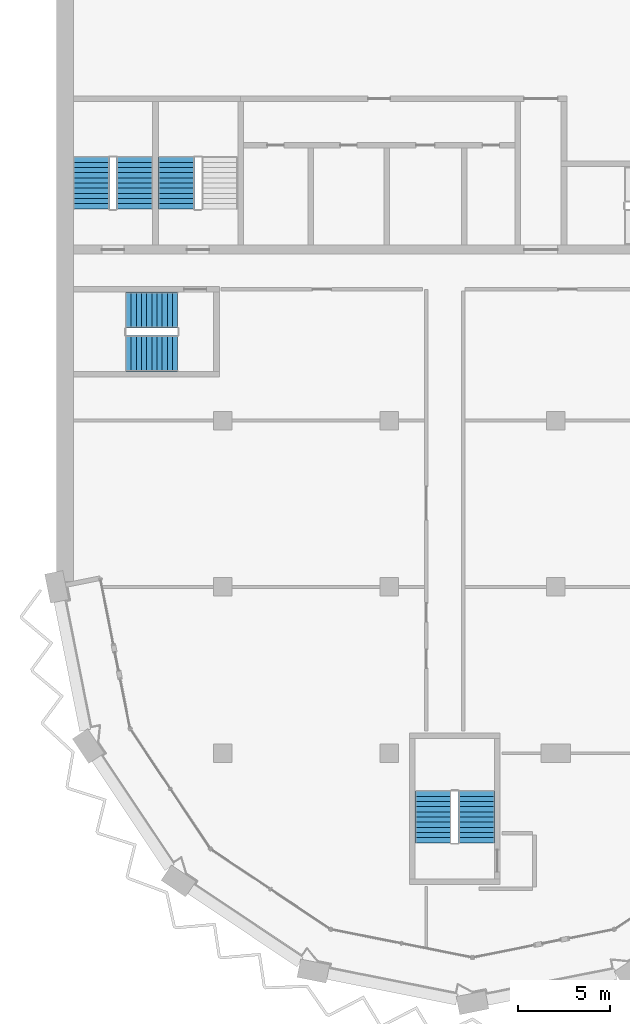
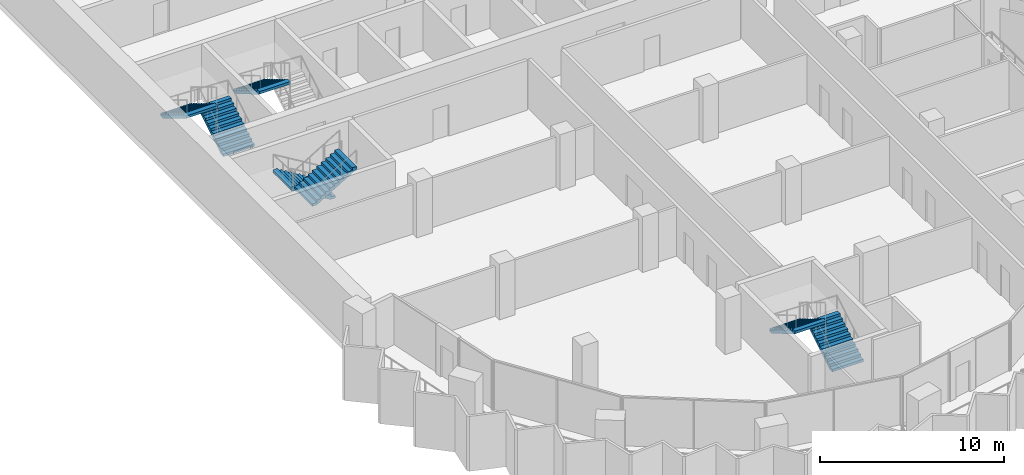
# One storey, part 11 of 16: 7 stair flights, 4 elements without a shape of their own.
"""IFC4 building model written with IfcOpenShell, lengths in metres."""

from ifc_helpers import new_model, si_unit, direction, frame, origin, place, context, subcontext, project, spatial, polyline, outline, extrude, material, type_object, element, aggregate, save


model = new_model("IFC4")

# Units and contexts
model_context = context("Model", 3, precision=1e-05, world=origin(), true_north=direction((0.0, 1.0)))
body_context = subcontext(model_context, "Body", "Model", "MODEL_VIEW")
ifc_project = project(units=[si_unit("LENGTHUNIT", "METRE"), si_unit("AREAUNIT", "SQUARE_METRE"), si_unit("VOLUMEUNIT", "CUBIC_METRE"), si_unit("PLANEANGLEUNIT", "RADIAN"), si_unit("MASSUNIT", "GRAM", prefix="KILO")], contexts=[model_context])

# Site, building, storey
site_placement = place(None, origin())
site = spatial("IfcSite", under=ifc_project, at=site_placement, CompositionType="ELEMENT")
building_placement = place(site_placement, origin())
building = spatial("IfcBuilding", under=site, at=building_placement, Name="Hunhe Ridgeline Campus", CompositionType="ELEMENT")
storey_placement = place(building_placement, frame((0.0, 0.0, 261.39990234375)))
storey = spatial("IfcBuildingStorey", under=building, at=storey_placement, Name="L67", CompositionType="ELEMENT", Elevation=261.39990234375)

# Stair, stair flights
ifc_material = material(Name="Concrete C40", Category="concrete")
stair_type = type_object("IfcStairType", Name="Reinforced concrete dog-leg stair 1950 Concrete C40", PredefinedType="HALF_TURN_STAIR", material=ifc_material)
stair_1_placement = place(storey_placement, origin())
stair_1 = element("IfcStair", 1, at=stair_1_placement, inside=storey, type_object=stair_type, Name="L67 S3", PredefinedType="HALF_TURN_STAIR")
stair_flight_type = type_object("IfcStairFlightType", Name="Reinforced concrete stair flight 1950 Concrete C40", PredefinedType="STRAIGHT", material=ifc_material)
stair_flight_1_placement = place(storey_placement, frame((4.22509765625, 65.449951171875, 0.0), z_axis=(0.0, 0.0, 1.0), x_axis=(0.0, 1.0, 0.0)))
stair_flight_1 = element("IfcStairFlight", 2, at=stair_flight_1_placement, type_object=stair_flight_type, Name="ST3 flight 1", NumberOfRisers=11, NumberOfTreads=10, PredefinedType="STRAIGHT", RiserHeight=0.168181818, TreadLength=0.28, context=body_context, shape_type="SweptSolid", body=[
    extrude(outline(polyline([(0.0, 0.0), (0.0, 0.168212890625), (0.280029296875, 0.168212890625), (0.280029296875, 0.33642578125), (0.56005859375, 0.33642578125), (0.56005859375, 0.504638671875), (0.840087890625, 0.504638671875), (0.840087890625, 0.672607421875), (1.1201171875, 0.672607421875), (1.1201171875, 0.8408203125), (1.39990234375, 0.8408203125), (1.39990234375, 1.009033203125), (1.679931640625, 1.009033203125), (1.679931640625, 1.17724609375), (1.9599609375, 1.17724609375), (1.9599609375, 1.345458984375), (2.239990234375, 1.345458984375), (2.239990234375, 1.513671875), (2.52001953125, 1.513671875), (2.52001953125, 1.681884765625), (2.800048828125, 1.681884765625), (2.800048828125, 1.85009765625), (2.800048828125, 1.5068359375), (0.291015625, 0.0), (0.0, 0.0)])), frame((0.0, 0.97509765625, 0.0), z_axis=(0.0, -1.0, 0.0), x_axis=(1.0, 0.0, 0.0)), (0.0, 0.0, 1.0), 1.949951171875),
    extrude(outline(polyline([(0.030029296875, 0.030029296875), (0.030029296875, 0.13818359375), (0.31005859375, 0.13818359375), (0.31005859375, 0.306396484375), (0.590087890625, 0.306396484375), (0.590087890625, 0.474609375), (0.8701171875, 0.474609375), (0.8701171875, 0.642578125), (1.14990234375, 0.642578125), (1.14990234375, 0.810791015625), (1.429931640625, 0.810791015625), (1.429931640625, 0.97900390625), (1.7099609375, 0.97900390625), (1.7099609375, 1.147216796875), (1.989990234375, 1.147216796875), (1.989990234375, 1.3154296875), (2.27001953125, 1.3154296875), (2.27001953125, 1.483642578125), (2.550048828125, 1.483642578125), (2.550048828125, 1.65185546875), (2.77001953125, 1.65185546875), (2.77001953125, 1.52392578125), (0.28271484375, 0.030029296875), (0.030029296875, 0.030029296875)])), frame((0.0, -0.070068359375, 0.0), z_axis=(0.0, -1.0, 0.0), x_axis=(1.0, 0.0, 0.0)), (0.0, 0.0, 1.0), 0.019775390625),
    extrude(outline(polyline([(0.030029296875, 0.030029296875), (0.030029296875, 0.13818359375), (0.31005859375, 0.13818359375), (0.31005859375, 0.306396484375), (0.590087890625, 0.306396484375), (0.590087890625, 0.474609375), (0.8701171875, 0.474609375), (0.8701171875, 0.642578125), (1.14990234375, 0.642578125), (1.14990234375, 0.810791015625), (1.429931640625, 0.810791015625), (1.429931640625, 0.97900390625), (1.7099609375, 0.97900390625), (1.7099609375, 1.147216796875), (1.989990234375, 1.147216796875), (1.989990234375, 1.3154296875), (2.27001953125, 1.3154296875), (2.27001953125, 1.483642578125), (2.550048828125, 1.483642578125), (2.550048828125, 1.65185546875), (2.77001953125, 1.65185546875), (2.77001953125, 1.52392578125), (0.28271484375, 0.030029296875), (0.030029296875, 0.030029296875)])), frame((0.0, 0.010009765625, 0.0), z_axis=(0.0, -1.0, 0.0), x_axis=(1.0, 0.0, 0.0)), (0.0, 0.0, 1.0), 0.019775390625),
    extrude(outline(polyline([(0.030029296875, 0.030029296875), (0.030029296875, 0.13818359375), (0.31005859375, 0.13818359375), (0.31005859375, 0.306396484375), (0.590087890625, 0.306396484375), (0.590087890625, 0.474609375), (0.8701171875, 0.474609375), (0.8701171875, 0.642578125), (1.14990234375, 0.642578125), (1.14990234375, 0.810791015625), (1.429931640625, 0.810791015625), (1.429931640625, 0.97900390625), (1.7099609375, 0.97900390625), (1.7099609375, 1.147216796875), (1.989990234375, 1.147216796875), (1.989990234375, 1.3154296875), (2.27001953125, 1.3154296875), (2.27001953125, 1.483642578125), (2.550048828125, 1.483642578125), (2.550048828125, 1.65185546875), (2.77001953125, 1.65185546875), (2.77001953125, 1.52392578125), (0.28271484375, 0.030029296875), (0.030029296875, 0.030029296875)])), frame((0.0, 0.090087890625, 0.0), z_axis=(0.0, -1.0, 0.0), x_axis=(1.0, 0.0, 0.0)), (0.0, 0.0, 1.0), 0.019775390625),
])
stair_flight_2_placement = place(storey_placement, frame((1.875, 68.25, 1.85009765625), z_axis=(0.0, 0.0, 1.0), x_axis=(0.0, -1.0, 0.0)))
stair_flight_2 = element("IfcStairFlight", 3, at=stair_flight_2_placement, type_object=stair_flight_type, Name="ST3 flight 2", NumberOfRisers=11, NumberOfTreads=10, PredefinedType="STRAIGHT", RiserHeight=0.168181818, TreadLength=0.28, context=body_context, shape_type="SweptSolid", body=[
    extrude(outline(polyline([(0.0, 0.0), (0.0, 0.168212890625), (0.280029296875, 0.168212890625), (0.280029296875, 0.33642578125), (0.56005859375, 0.33642578125), (0.56005859375, 0.504638671875), (0.840087890625, 0.504638671875), (0.840087890625, 0.672607421875), (1.1201171875, 0.672607421875), (1.1201171875, 0.8408203125), (1.39990234375, 0.8408203125), (1.39990234375, 1.009033203125), (1.679931640625, 1.009033203125), (1.679931640625, 1.17724609375), (1.9599609375, 1.17724609375), (1.9599609375, 1.345458984375), (2.239990234375, 1.345458984375), (2.239990234375, 1.513671875), (2.52001953125, 1.513671875), (2.52001953125, 1.681884765625), (2.800048828125, 1.681884765625), (2.800048828125, 1.85009765625), (2.800048828125, 1.5068359375), (0.291015625, 0.0), (0.0, 0.0)])), frame((0.0, 0.97509765625, 0.0), z_axis=(0.0, -1.0, 0.0), x_axis=(1.0, 0.0, 0.0)), (0.0, 0.0, 1.0), 1.949951171875),
    extrude(outline(polyline([(0.030029296875, 0.030029296875), (0.030029296875, 0.13818359375), (0.31005859375, 0.13818359375), (0.31005859375, 0.306396484375), (0.590087890625, 0.306396484375), (0.590087890625, 0.474609375), (0.8701171875, 0.474609375), (0.8701171875, 0.642578125), (1.14990234375, 0.642578125), (1.14990234375, 0.810791015625), (1.429931640625, 0.810791015625), (1.429931640625, 0.97900390625), (1.7099609375, 0.97900390625), (1.7099609375, 1.147216796875), (1.989990234375, 1.147216796875), (1.989990234375, 1.3154296875), (2.27001953125, 1.3154296875), (2.27001953125, 1.483642578125), (2.550048828125, 1.483642578125), (2.550048828125, 1.65185546875), (2.77001953125, 1.65185546875), (2.77001953125, 1.52392578125), (0.28271484375, 0.030029296875), (0.030029296875, 0.030029296875)])), frame((0.0, -0.070068359375, 0.0), z_axis=(0.0, -1.0, 0.0), x_axis=(1.0, 0.0, 0.0)), (0.0, 0.0, 1.0), 0.019775390625),
    extrude(outline(polyline([(0.030029296875, 0.030029296875), (0.030029296875, 0.13818359375), (0.31005859375, 0.13818359375), (0.31005859375, 0.306396484375), (0.590087890625, 0.306396484375), (0.590087890625, 0.474609375), (0.8701171875, 0.474609375), (0.8701171875, 0.642578125), (1.14990234375, 0.642578125), (1.14990234375, 0.810791015625), (1.429931640625, 0.810791015625), (1.429931640625, 0.97900390625), (1.7099609375, 0.97900390625), (1.7099609375, 1.147216796875), (1.989990234375, 1.147216796875), (1.989990234375, 1.3154296875), (2.27001953125, 1.3154296875), (2.27001953125, 1.483642578125), (2.550048828125, 1.483642578125), (2.550048828125, 1.65185546875), (2.77001953125, 1.65185546875), (2.77001953125, 1.52392578125), (0.28271484375, 0.030029296875), (0.030029296875, 0.030029296875)])), frame((0.0, 0.010009765625, 0.0), z_axis=(0.0, -1.0, 0.0), x_axis=(1.0, 0.0, 0.0)), (0.0, 0.0, 1.0), 0.019775390625),
    extrude(outline(polyline([(0.030029296875, 0.030029296875), (0.030029296875, 0.13818359375), (0.31005859375, 0.13818359375), (0.31005859375, 0.306396484375), (0.590087890625, 0.306396484375), (0.590087890625, 0.474609375), (0.8701171875, 0.474609375), (0.8701171875, 0.642578125), (1.14990234375, 0.642578125), (1.14990234375, 0.810791015625), (1.429931640625, 0.810791015625), (1.429931640625, 0.97900390625), (1.7099609375, 0.97900390625), (1.7099609375, 1.147216796875), (1.989990234375, 1.147216796875), (1.989990234375, 1.3154296875), (2.27001953125, 1.3154296875), (2.27001953125, 1.483642578125), (2.550048828125, 1.483642578125), (2.550048828125, 1.65185546875), (2.77001953125, 1.65185546875), (2.77001953125, 1.52392578125), (0.28271484375, 0.030029296875), (0.030029296875, 0.030029296875)])), frame((0.0, 0.090087890625, 0.0), z_axis=(0.0, -1.0, 0.0), x_axis=(1.0, 0.0, 0.0)), (0.0, 0.0, 1.0), 0.019775390625),
])
aggregate(stair_1, [stair_flight_1, stair_flight_2])

# Stair, stair flight
stair_2_placement = place(storey_placement, origin())
stair_2 = element("IfcStair", 4, at=stair_2_placement, inside=storey, type_object=stair_type, Name="L67 S4", PredefinedType="HALF_TURN_STAIR")
stair_flight_3_placement = place(storey_placement, frame((6.47509765625, 68.25, 1.85009765625), z_axis=(0.0, 0.0, 1.0), x_axis=(0.0, -1.0, 0.0)))
stair_flight_3 = element("IfcStairFlight", 5, at=stair_flight_3_placement, type_object=stair_flight_type, Name="ST4 flight 2", NumberOfRisers=11, NumberOfTreads=10, PredefinedType="STRAIGHT", RiserHeight=0.168181818, TreadLength=0.28, context=body_context, shape_type="SweptSolid", body=[
    extrude(outline(polyline([(0.0, 0.0), (0.0, 0.168212890625), (0.280029296875, 0.168212890625), (0.280029296875, 0.33642578125), (0.56005859375, 0.33642578125), (0.56005859375, 0.504638671875), (0.840087890625, 0.504638671875), (0.840087890625, 0.672607421875), (1.1201171875, 0.672607421875), (1.1201171875, 0.8408203125), (1.39990234375, 0.8408203125), (1.39990234375, 1.009033203125), (1.679931640625, 1.009033203125), (1.679931640625, 1.17724609375), (1.9599609375, 1.17724609375), (1.9599609375, 1.345458984375), (2.239990234375, 1.345458984375), (2.239990234375, 1.513671875), (2.52001953125, 1.513671875), (2.52001953125, 1.681884765625), (2.800048828125, 1.681884765625), (2.800048828125, 1.85009765625), (2.800048828125, 1.5068359375), (0.291015625, 0.0), (0.0, 0.0)])), frame((0.0, 0.97509765625, 0.0), z_axis=(0.0, -1.0, 0.0), x_axis=(1.0, 0.0, 0.0)), (0.0, 0.0, 1.0), 1.949951171875),
    extrude(outline(polyline([(0.030029296875, 0.030029296875), (0.030029296875, 0.13818359375), (0.31005859375, 0.13818359375), (0.31005859375, 0.306396484375), (0.590087890625, 0.306396484375), (0.590087890625, 0.474609375), (0.8701171875, 0.474609375), (0.8701171875, 0.642578125), (1.14990234375, 0.642578125), (1.14990234375, 0.810791015625), (1.429931640625, 0.810791015625), (1.429931640625, 0.97900390625), (1.7099609375, 0.97900390625), (1.7099609375, 1.147216796875), (1.989990234375, 1.147216796875), (1.989990234375, 1.3154296875), (2.27001953125, 1.3154296875), (2.27001953125, 1.483642578125), (2.550048828125, 1.483642578125), (2.550048828125, 1.65185546875), (2.77001953125, 1.65185546875), (2.77001953125, 1.52392578125), (0.28271484375, 0.030029296875), (0.030029296875, 0.030029296875)])), frame((0.0, -0.070068359375, 0.0), z_axis=(0.0, -1.0, 0.0), x_axis=(1.0, 0.0, 0.0)), (0.0, 0.0, 1.0), 0.019775390625),
    extrude(outline(polyline([(0.030029296875, 0.030029296875), (0.030029296875, 0.13818359375), (0.31005859375, 0.13818359375), (0.31005859375, 0.306396484375), (0.590087890625, 0.306396484375), (0.590087890625, 0.474609375), (0.8701171875, 0.474609375), (0.8701171875, 0.642578125), (1.14990234375, 0.642578125), (1.14990234375, 0.810791015625), (1.429931640625, 0.810791015625), (1.429931640625, 0.97900390625), (1.7099609375, 0.97900390625), (1.7099609375, 1.147216796875), (1.989990234375, 1.147216796875), (1.989990234375, 1.3154296875), (2.27001953125, 1.3154296875), (2.27001953125, 1.483642578125), (2.550048828125, 1.483642578125), (2.550048828125, 1.65185546875), (2.77001953125, 1.65185546875), (2.77001953125, 1.52392578125), (0.28271484375, 0.030029296875), (0.030029296875, 0.030029296875)])), frame((0.0, 0.010009765625, 0.0), z_axis=(0.0, -1.0, 0.0), x_axis=(1.0, 0.0, 0.0)), (0.0, 0.0, 1.0), 0.019775390625),
    extrude(outline(polyline([(0.030029296875, 0.030029296875), (0.030029296875, 0.13818359375), (0.31005859375, 0.13818359375), (0.31005859375, 0.306396484375), (0.590087890625, 0.306396484375), (0.590087890625, 0.474609375), (0.8701171875, 0.474609375), (0.8701171875, 0.642578125), (1.14990234375, 0.642578125), (1.14990234375, 0.810791015625), (1.429931640625, 0.810791015625), (1.429931640625, 0.97900390625), (1.7099609375, 0.97900390625), (1.7099609375, 1.147216796875), (1.989990234375, 1.147216796875), (1.989990234375, 1.3154296875), (2.27001953125, 1.3154296875), (2.27001953125, 1.483642578125), (2.550048828125, 1.483642578125), (2.550048828125, 1.65185546875), (2.77001953125, 1.65185546875), (2.77001953125, 1.52392578125), (0.28271484375, 0.030029296875), (0.030029296875, 0.030029296875)])), frame((0.0, 0.090087890625, 0.0), z_axis=(0.0, -1.0, 0.0), x_axis=(1.0, 0.0, 0.0)), (0.0, 0.0, 1.0), 0.019775390625),
])
aggregate(stair_2, [stair_flight_3])

# Stair, stair flights
stair_3_placement = place(storey_placement, origin())
stair_3 = element("IfcStair", 6, at=stair_3_placement, inside=storey, type_object=stair_type, Name="L67 W3", PredefinedType="HALF_TURN_STAIR")
stair_flight_4_placement = place(storey_placement, frame((22.72509765625, 31.14990234375, 0.0), z_axis=(0.0, 0.0, 1.0), x_axis=(0.0, 1.0, 0.0)))
stair_flight_4 = element("IfcStairFlight", 7, at=stair_flight_4_placement, type_object=stair_flight_type, Name="ST9 flight 1", NumberOfRisers=11, NumberOfTreads=10, PredefinedType="STRAIGHT", RiserHeight=0.168181818, TreadLength=0.28, context=body_context, shape_type="SweptSolid", body=[
    extrude(outline(polyline([(0.0, 0.0), (0.0, 0.168212890625), (0.280029296875, 0.168212890625), (0.280029296875, 0.33642578125), (0.56005859375, 0.33642578125), (0.56005859375, 0.504638671875), (0.840087890625, 0.504638671875), (0.840087890625, 0.672607421875), (1.1201171875, 0.672607421875), (1.1201171875, 0.8408203125), (1.39990234375, 0.8408203125), (1.39990234375, 1.009033203125), (1.679931640625, 1.009033203125), (1.679931640625, 1.17724609375), (1.9599609375, 1.17724609375), (1.9599609375, 1.345458984375), (2.239990234375, 1.345458984375), (2.239990234375, 1.513671875), (2.52001953125, 1.513671875), (2.52001953125, 1.681884765625), (2.800048828125, 1.681884765625), (2.800048828125, 1.85009765625), (2.800048828125, 1.5068359375), (0.291015625, 0.0), (0.0, 0.0)])), frame((0.0, 0.97509765625, 0.0), z_axis=(0.0, -1.0, 0.0), x_axis=(1.0, 0.0, 0.0)), (0.0, 0.0, 1.0), 1.949951171875),
    extrude(outline(polyline([(0.030029296875, 0.030029296875), (0.030029296875, 0.13818359375), (0.31005859375, 0.13818359375), (0.31005859375, 0.306396484375), (0.590087890625, 0.306396484375), (0.590087890625, 0.474609375), (0.8701171875, 0.474609375), (0.8701171875, 0.642578125), (1.14990234375, 0.642578125), (1.14990234375, 0.810791015625), (1.429931640625, 0.810791015625), (1.429931640625, 0.97900390625), (1.7099609375, 0.97900390625), (1.7099609375, 1.147216796875), (1.989990234375, 1.147216796875), (1.989990234375, 1.3154296875), (2.27001953125, 1.3154296875), (2.27001953125, 1.483642578125), (2.550048828125, 1.483642578125), (2.550048828125, 1.65185546875), (2.77001953125, 1.65185546875), (2.77001953125, 1.52392578125), (0.28271484375, 0.030029296875), (0.030029296875, 0.030029296875)])), frame((0.0, -0.070068359375, 0.0), z_axis=(0.0, -1.0, 0.0), x_axis=(1.0, 0.0, 0.0)), (0.0, 0.0, 1.0), 0.019775390625),
    extrude(outline(polyline([(0.030029296875, 0.030029296875), (0.030029296875, 0.13818359375), (0.31005859375, 0.13818359375), (0.31005859375, 0.306396484375), (0.590087890625, 0.306396484375), (0.590087890625, 0.474609375), (0.8701171875, 0.474609375), (0.8701171875, 0.642578125), (1.14990234375, 0.642578125), (1.14990234375, 0.810791015625), (1.429931640625, 0.810791015625), (1.429931640625, 0.97900390625), (1.7099609375, 0.97900390625), (1.7099609375, 1.147216796875), (1.989990234375, 1.147216796875), (1.989990234375, 1.3154296875), (2.27001953125, 1.3154296875), (2.27001953125, 1.483642578125), (2.550048828125, 1.483642578125), (2.550048828125, 1.65185546875), (2.77001953125, 1.65185546875), (2.77001953125, 1.52392578125), (0.28271484375, 0.030029296875), (0.030029296875, 0.030029296875)])), frame((0.0, 0.010009765625, 0.0), z_axis=(0.0, -1.0, 0.0), x_axis=(1.0, 0.0, 0.0)), (0.0, 0.0, 1.0), 0.019775390625),
    extrude(outline(polyline([(0.030029296875, 0.030029296875), (0.030029296875, 0.13818359375), (0.31005859375, 0.13818359375), (0.31005859375, 0.306396484375), (0.590087890625, 0.306396484375), (0.590087890625, 0.474609375), (0.8701171875, 0.474609375), (0.8701171875, 0.642578125), (1.14990234375, 0.642578125), (1.14990234375, 0.810791015625), (1.429931640625, 0.810791015625), (1.429931640625, 0.97900390625), (1.7099609375, 0.97900390625), (1.7099609375, 1.147216796875), (1.989990234375, 1.147216796875), (1.989990234375, 1.3154296875), (2.27001953125, 1.3154296875), (2.27001953125, 1.483642578125), (2.550048828125, 1.483642578125), (2.550048828125, 1.65185546875), (2.77001953125, 1.65185546875), (2.77001953125, 1.52392578125), (0.28271484375, 0.030029296875), (0.030029296875, 0.030029296875)])), frame((0.0, 0.090087890625, 0.0), z_axis=(0.0, -1.0, 0.0), x_axis=(1.0, 0.0, 0.0)), (0.0, 0.0, 1.0), 0.019775390625),
])
stair_flight_5_placement = place(storey_placement, frame((20.375, 33.949951171875, 1.85009765625), z_axis=(0.0, 0.0, 1.0), x_axis=(0.0, -1.0, 0.0)))
stair_flight_5 = element("IfcStairFlight", 8, at=stair_flight_5_placement, type_object=stair_flight_type, Name="ST9 flight 2", NumberOfRisers=11, NumberOfTreads=10, PredefinedType="STRAIGHT", RiserHeight=0.168181818, TreadLength=0.28, context=body_context, shape_type="SweptSolid", body=[
    extrude(outline(polyline([(0.0, 0.0), (0.0, 0.168212890625), (0.280029296875, 0.168212890625), (0.280029296875, 0.33642578125), (0.56005859375, 0.33642578125), (0.56005859375, 0.504638671875), (0.840087890625, 0.504638671875), (0.840087890625, 0.672607421875), (1.1201171875, 0.672607421875), (1.1201171875, 0.8408203125), (1.39990234375, 0.8408203125), (1.39990234375, 1.009033203125), (1.679931640625, 1.009033203125), (1.679931640625, 1.17724609375), (1.9599609375, 1.17724609375), (1.9599609375, 1.345458984375), (2.239990234375, 1.345458984375), (2.239990234375, 1.513671875), (2.52001953125, 1.513671875), (2.52001953125, 1.681884765625), (2.800048828125, 1.681884765625), (2.800048828125, 1.85009765625), (2.800048828125, 1.5068359375), (0.291015625, 0.0), (0.0, 0.0)])), frame((0.0, 0.97509765625, 0.0), z_axis=(0.0, -1.0, 0.0), x_axis=(1.0, 0.0, 0.0)), (0.0, 0.0, 1.0), 1.949951171875),
    extrude(outline(polyline([(0.030029296875, 0.030029296875), (0.030029296875, 0.13818359375), (0.31005859375, 0.13818359375), (0.31005859375, 0.306396484375), (0.590087890625, 0.306396484375), (0.590087890625, 0.474609375), (0.8701171875, 0.474609375), (0.8701171875, 0.642578125), (1.14990234375, 0.642578125), (1.14990234375, 0.810791015625), (1.429931640625, 0.810791015625), (1.429931640625, 0.97900390625), (1.7099609375, 0.97900390625), (1.7099609375, 1.147216796875), (1.989990234375, 1.147216796875), (1.989990234375, 1.3154296875), (2.27001953125, 1.3154296875), (2.27001953125, 1.483642578125), (2.550048828125, 1.483642578125), (2.550048828125, 1.65185546875), (2.77001953125, 1.65185546875), (2.77001953125, 1.52392578125), (0.28271484375, 0.030029296875), (0.030029296875, 0.030029296875)])), frame((0.0, -0.070068359375, 0.0), z_axis=(0.0, -1.0, 0.0), x_axis=(1.0, 0.0, 0.0)), (0.0, 0.0, 1.0), 0.019775390625),
    extrude(outline(polyline([(0.030029296875, 0.030029296875), (0.030029296875, 0.13818359375), (0.31005859375, 0.13818359375), (0.31005859375, 0.306396484375), (0.590087890625, 0.306396484375), (0.590087890625, 0.474609375), (0.8701171875, 0.474609375), (0.8701171875, 0.642578125), (1.14990234375, 0.642578125), (1.14990234375, 0.810791015625), (1.429931640625, 0.810791015625), (1.429931640625, 0.97900390625), (1.7099609375, 0.97900390625), (1.7099609375, 1.147216796875), (1.989990234375, 1.147216796875), (1.989990234375, 1.3154296875), (2.27001953125, 1.3154296875), (2.27001953125, 1.483642578125), (2.550048828125, 1.483642578125), (2.550048828125, 1.65185546875), (2.77001953125, 1.65185546875), (2.77001953125, 1.52392578125), (0.28271484375, 0.030029296875), (0.030029296875, 0.030029296875)])), frame((0.0, 0.010009765625, 0.0), z_axis=(0.0, -1.0, 0.0), x_axis=(1.0, 0.0, 0.0)), (0.0, 0.0, 1.0), 0.019775390625),
    extrude(outline(polyline([(0.030029296875, 0.030029296875), (0.030029296875, 0.13818359375), (0.31005859375, 0.13818359375), (0.31005859375, 0.306396484375), (0.590087890625, 0.306396484375), (0.590087890625, 0.474609375), (0.8701171875, 0.474609375), (0.8701171875, 0.642578125), (1.14990234375, 0.642578125), (1.14990234375, 0.810791015625), (1.429931640625, 0.810791015625), (1.429931640625, 0.97900390625), (1.7099609375, 0.97900390625), (1.7099609375, 1.147216796875), (1.989990234375, 1.147216796875), (1.989990234375, 1.3154296875), (2.27001953125, 1.3154296875), (2.27001953125, 1.483642578125), (2.550048828125, 1.483642578125), (2.550048828125, 1.65185546875), (2.77001953125, 1.65185546875), (2.77001953125, 1.52392578125), (0.28271484375, 0.030029296875), (0.030029296875, 0.030029296875)])), frame((0.0, 0.090087890625, 0.0), z_axis=(0.0, -1.0, 0.0), x_axis=(1.0, 0.0, 0.0)), (0.0, 0.0, 1.0), 0.019775390625),
])
aggregate(stair_3, [stair_flight_4, stair_flight_5])

stair_4_placement = place(storey_placement, origin())
stair_4 = element("IfcStair", 9, at=stair_4_placement, inside=storey, type_object=stair_type, Name="L67 W2", PredefinedType="HALF_TURN_STAIR")
stair_flight_6_placement = place(storey_placement, frame((6.550048828125, 59.97509765625, 0.0), z_axis=(0.0, 0.0, 1.0), x_axis=(-1.0, 0.0, 0.0)))
stair_flight_6 = element("IfcStairFlight", 10, at=stair_flight_6_placement, type_object=stair_flight_type, Name="ST12 flight 1", NumberOfRisers=11, NumberOfTreads=10, PredefinedType="STRAIGHT", RiserHeight=0.168181818, TreadLength=0.28, context=body_context, shape_type="SweptSolid", body=[
    extrude(outline(polyline([(0.0, 0.0), (0.0, 0.168212890625), (0.280029296875, 0.168212890625), (0.280029296875, 0.33642578125), (0.56005859375, 0.33642578125), (0.56005859375, 0.504638671875), (0.840087890625, 0.504638671875), (0.840087890625, 0.672607421875), (1.1201171875, 0.672607421875), (1.1201171875, 0.8408203125), (1.39990234375, 0.8408203125), (1.39990234375, 1.009033203125), (1.679931640625, 1.009033203125), (1.679931640625, 1.17724609375), (1.9599609375, 1.17724609375), (1.9599609375, 1.345458984375), (2.239990234375, 1.345458984375), (2.239990234375, 1.513671875), (2.52001953125, 1.513671875), (2.52001953125, 1.681884765625), (2.800048828125, 1.681884765625), (2.800048828125, 1.85009765625), (2.800048828125, 1.5068359375), (0.291015625, 0.0), (0.0, 0.0)])), frame((0.0, 0.97509765625, 0.0), z_axis=(0.0, -1.0, 0.0), x_axis=(1.0, 0.0, 0.0)), (0.0, 0.0, 1.0), 1.949951171875),
    extrude(outline(polyline([(0.030029296875, 0.030029296875), (0.030029296875, 0.13818359375), (0.31005859375, 0.13818359375), (0.31005859375, 0.306396484375), (0.590087890625, 0.306396484375), (0.590087890625, 0.474609375), (0.8701171875, 0.474609375), (0.8701171875, 0.642578125), (1.14990234375, 0.642578125), (1.14990234375, 0.810791015625), (1.429931640625, 0.810791015625), (1.429931640625, 0.97900390625), (1.7099609375, 0.97900390625), (1.7099609375, 1.147216796875), (1.989990234375, 1.147216796875), (1.989990234375, 1.3154296875), (2.27001953125, 1.3154296875), (2.27001953125, 1.483642578125), (2.550048828125, 1.483642578125), (2.550048828125, 1.65185546875), (2.77001953125, 1.65185546875), (2.77001953125, 1.52392578125), (0.28271484375, 0.030029296875), (0.030029296875, 0.030029296875)])), frame((0.0, -0.070068359375, 0.0), z_axis=(0.0, -1.0, 0.0), x_axis=(1.0, 0.0, 0.0)), (0.0, 0.0, 1.0), 0.019775390625),
    extrude(outline(polyline([(0.030029296875, 0.030029296875), (0.030029296875, 0.13818359375), (0.31005859375, 0.13818359375), (0.31005859375, 0.306396484375), (0.590087890625, 0.306396484375), (0.590087890625, 0.474609375), (0.8701171875, 0.474609375), (0.8701171875, 0.642578125), (1.14990234375, 0.642578125), (1.14990234375, 0.810791015625), (1.429931640625, 0.810791015625), (1.429931640625, 0.97900390625), (1.7099609375, 0.97900390625), (1.7099609375, 1.147216796875), (1.989990234375, 1.147216796875), (1.989990234375, 1.3154296875), (2.27001953125, 1.3154296875), (2.27001953125, 1.483642578125), (2.550048828125, 1.483642578125), (2.550048828125, 1.65185546875), (2.77001953125, 1.65185546875), (2.77001953125, 1.52392578125), (0.28271484375, 0.030029296875), (0.030029296875, 0.030029296875)])), frame((0.0, 0.010009765625, 0.0), z_axis=(0.0, -1.0, 0.0), x_axis=(1.0, 0.0, 0.0)), (0.0, 0.0, 1.0), 0.019775390625),
    extrude(outline(polyline([(0.030029296875, 0.030029296875), (0.030029296875, 0.13818359375), (0.31005859375, 0.13818359375), (0.31005859375, 0.306396484375), (0.590087890625, 0.306396484375), (0.590087890625, 0.474609375), (0.8701171875, 0.474609375), (0.8701171875, 0.642578125), (1.14990234375, 0.642578125), (1.14990234375, 0.810791015625), (1.429931640625, 0.810791015625), (1.429931640625, 0.97900390625), (1.7099609375, 0.97900390625), (1.7099609375, 1.147216796875), (1.989990234375, 1.147216796875), (1.989990234375, 1.3154296875), (2.27001953125, 1.3154296875), (2.27001953125, 1.483642578125), (2.550048828125, 1.483642578125), (2.550048828125, 1.65185546875), (2.77001953125, 1.65185546875), (2.77001953125, 1.52392578125), (0.28271484375, 0.030029296875), (0.030029296875, 0.030029296875)])), frame((0.0, 0.090087890625, 0.0), z_axis=(0.0, -1.0, 0.0), x_axis=(1.0, 0.0, 0.0)), (0.0, 0.0, 1.0), 0.019775390625),
])
stair_flight_7_placement = place(storey_placement, frame((3.75, 57.625, 1.85009765625), z_axis=(0.0, 0.0, 1.0), x_axis=(1.0, 0.0, 0.0)))
stair_flight_7 = element("IfcStairFlight", 11, at=stair_flight_7_placement, type_object=stair_flight_type, Name="ST12 flight 2", NumberOfRisers=11, NumberOfTreads=10, PredefinedType="STRAIGHT", RiserHeight=0.168181818, TreadLength=0.28, context=body_context, shape_type="SweptSolid", body=[
    extrude(outline(polyline([(0.0, 0.0), (0.0, 0.168212890625), (0.280029296875, 0.168212890625), (0.280029296875, 0.33642578125), (0.56005859375, 0.33642578125), (0.56005859375, 0.504638671875), (0.840087890625, 0.504638671875), (0.840087890625, 0.672607421875), (1.1201171875, 0.672607421875), (1.1201171875, 0.8408203125), (1.39990234375, 0.8408203125), (1.39990234375, 1.009033203125), (1.679931640625, 1.009033203125), (1.679931640625, 1.17724609375), (1.9599609375, 1.17724609375), (1.9599609375, 1.345458984375), (2.239990234375, 1.345458984375), (2.239990234375, 1.513671875), (2.52001953125, 1.513671875), (2.52001953125, 1.681884765625), (2.800048828125, 1.681884765625), (2.800048828125, 1.85009765625), (2.800048828125, 1.5068359375), (0.291015625, 0.0), (0.0, 0.0)])), frame((0.0, 0.97509765625, 0.0), z_axis=(0.0, -1.0, 0.0), x_axis=(1.0, 0.0, 0.0)), (0.0, 0.0, 1.0), 1.949951171875),
    extrude(outline(polyline([(0.030029296875, 0.030029296875), (0.030029296875, 0.13818359375), (0.31005859375, 0.13818359375), (0.31005859375, 0.306396484375), (0.590087890625, 0.306396484375), (0.590087890625, 0.474609375), (0.8701171875, 0.474609375), (0.8701171875, 0.642578125), (1.14990234375, 0.642578125), (1.14990234375, 0.810791015625), (1.429931640625, 0.810791015625), (1.429931640625, 0.97900390625), (1.7099609375, 0.97900390625), (1.7099609375, 1.147216796875), (1.989990234375, 1.147216796875), (1.989990234375, 1.3154296875), (2.27001953125, 1.3154296875), (2.27001953125, 1.483642578125), (2.550048828125, 1.483642578125), (2.550048828125, 1.65185546875), (2.77001953125, 1.65185546875), (2.77001953125, 1.52392578125), (0.28271484375, 0.030029296875), (0.030029296875, 0.030029296875)])), frame((0.0, -0.070068359375, 0.0), z_axis=(0.0, -1.0, 0.0), x_axis=(1.0, 0.0, 0.0)), (0.0, 0.0, 1.0), 0.019775390625),
    extrude(outline(polyline([(0.030029296875, 0.030029296875), (0.030029296875, 0.13818359375), (0.31005859375, 0.13818359375), (0.31005859375, 0.306396484375), (0.590087890625, 0.306396484375), (0.590087890625, 0.474609375), (0.8701171875, 0.474609375), (0.8701171875, 0.642578125), (1.14990234375, 0.642578125), (1.14990234375, 0.810791015625), (1.429931640625, 0.810791015625), (1.429931640625, 0.97900390625), (1.7099609375, 0.97900390625), (1.7099609375, 1.147216796875), (1.989990234375, 1.147216796875), (1.989990234375, 1.3154296875), (2.27001953125, 1.3154296875), (2.27001953125, 1.483642578125), (2.550048828125, 1.483642578125), (2.550048828125, 1.65185546875), (2.77001953125, 1.65185546875), (2.77001953125, 1.52392578125), (0.28271484375, 0.030029296875), (0.030029296875, 0.030029296875)])), frame((0.0, 0.010009765625, 0.0), z_axis=(0.0, -1.0, 0.0), x_axis=(1.0, 0.0, 0.0)), (0.0, 0.0, 1.0), 0.019775390625),
    extrude(outline(polyline([(0.030029296875, 0.030029296875), (0.030029296875, 0.13818359375), (0.31005859375, 0.13818359375), (0.31005859375, 0.306396484375), (0.590087890625, 0.306396484375), (0.590087890625, 0.474609375), (0.8701171875, 0.474609375), (0.8701171875, 0.642578125), (1.14990234375, 0.642578125), (1.14990234375, 0.810791015625), (1.429931640625, 0.810791015625), (1.429931640625, 0.97900390625), (1.7099609375, 0.97900390625), (1.7099609375, 1.147216796875), (1.989990234375, 1.147216796875), (1.989990234375, 1.3154296875), (2.27001953125, 1.3154296875), (2.27001953125, 1.483642578125), (2.550048828125, 1.483642578125), (2.550048828125, 1.65185546875), (2.77001953125, 1.65185546875), (2.77001953125, 1.52392578125), (0.28271484375, 0.030029296875), (0.030029296875, 0.030029296875)])), frame((0.0, 0.090087890625, 0.0), z_axis=(0.0, -1.0, 0.0), x_axis=(1.0, 0.0, 0.0)), (0.0, 0.0, 1.0), 0.019775390625),
])
aggregate(stair_4, [stair_flight_6, stair_flight_7])

save(model, "model.ifc")
